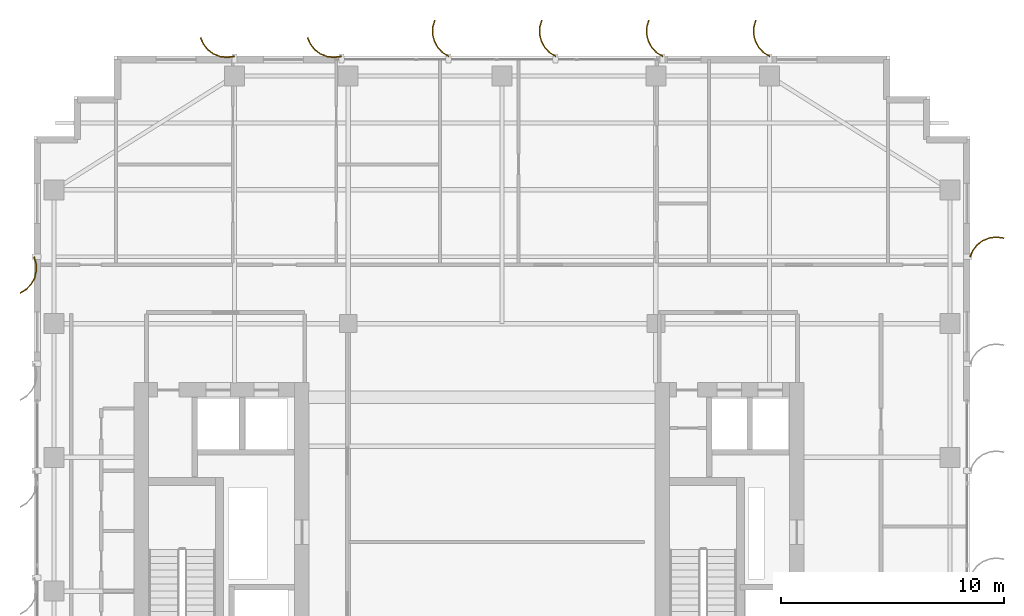
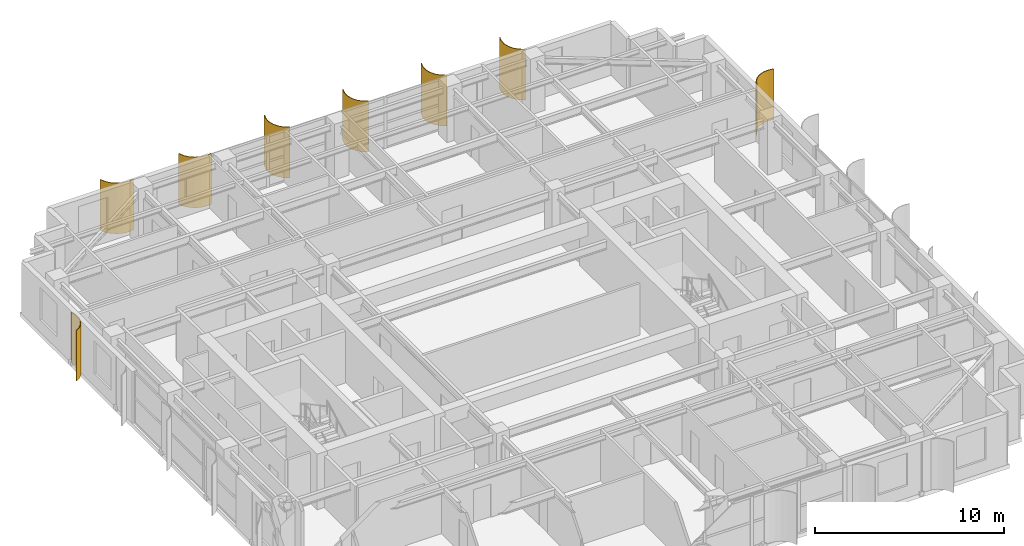
# One storey, part 25 of 25: 8 shading devices.
"""IFC4 building model written with IfcOpenShell, lengths in metres."""

from ifc_helpers import new_model, si_unit, direction, frame, origin, place, context, subcontext, project, spatial, polyline, outline, extrude, source, transform, mapped, material, layer, layer_set, type_object, element, save


model = new_model("IFC4")

# Units and contexts
model_context = context("Model", 3, precision=1e-05, world=origin(), true_north=direction((0.0, 1.0)))
body_context = subcontext(model_context, "Body", "Model", "MODEL_VIEW")
ifc_project = project(units=[si_unit("LENGTHUNIT", "METRE"), si_unit("AREAUNIT", "SQUARE_METRE"), si_unit("VOLUMEUNIT", "CUBIC_METRE"), si_unit("PLANEANGLEUNIT", "RADIAN"), si_unit("MASSUNIT", "GRAM", prefix="KILO")], contexts=[model_context])

# Site, building, storey
site_placement = place(None, origin())
site = spatial("IfcSite", under=ifc_project, at=site_placement, CompositionType="ELEMENT")
building_placement = place(site_placement, origin())
building = spatial("IfcBuilding", under=site, at=building_placement, Name="Khoralis Quay Care Tower", CompositionType="ELEMENT")
storey_placement = place(building_placement, frame((0.0, 0.0, 166.5)))
storey = spatial("IfcBuildingStorey", under=building, at=storey_placement, Name="L43", CompositionType="ELEMENT", Elevation=166.5)

# Shading devices
ifc_material = material(Name="Brushed pale anodised aluminium", Category="aluminium")
ifc_layer = layer(ifc_material, 0.044921875)
ifc_layer_set = layer_set([ifc_layer], Name="Brushed pale anodised aluminium")
shading_device_type = type_object("IfcShadingDeviceType", Name="SHD-FIN-1250", PredefinedType="USERDEFINED", material=ifc_layer_set)
shared_shape_1 = source(origin(), body_context, "Body", "SweptSolid", [
    extrude(outline(polyline([(0.0, 0.0), (0.17041015625, 0.2783203125), (0.4072265625, 0.5029296875), (0.694091796875, 0.658447265625), (1.01123046875, 0.734619140625), (1.33740234375, 0.72607421875), (1.650390625, 0.633544921875), (1.632080078125, 0.59228515625), (1.330322265625, 0.681640625), (1.015869140625, 0.68994140625), (0.710205078125, 0.616455078125), (0.43359375, 0.466552734375), (0.20556640625, 0.25), (0.041015625, -0.018310546875), (0.0, 0.0)])), origin(), (0.0, 0.0, 1.0), 3.280029296875),
])
for number, where, z_axis, x_axis, name in (
    (1, (36.0, 41.969970703125, 0.02001953125), (0.0, 0.0, 1.0), (0.0, 1.0, 0.0), "L43 Curved Solar Fin P1E10-01"),
    (2, (31.199951171875, 41.969970703125, 0.02001953125), (0.0, 0.0, 1.0), (0.0, 1.0, 0.0), "L43 Curved Solar Fin P1E10-02"),
    (3, (26.39990234375, 41.969970703125, 0.02001953125), (0.0, 0.0, 1.0), (0.0, 1.0, 0.0), "L43 Curved Solar Fin P1E10-03"),
    (4, (21.60009765625, 41.969970703125, 0.02001953125), (0.0, 0.0, 1.0), (0.0, 1.0, 0.0), "L43 Curved Solar Fin P1E10-04"),
):
    element("IfcShadingDevice", number, at=place(storey_placement, frame(where, z_axis=z_axis, x_axis=x_axis)), inside=storey, type_object=shading_device_type, Name=name, ObjectType="FIN", PredefinedType="USERDEFINED", context=body_context, shape_type="MappedRepresentation", body=[
        mapped(shared_shape_1, transform((0.0, 0.0, 0.0), scale=1.0)),
    ])
shared_shape_2 = source(origin(), body_context, "Body", "SweptSolid", [
    extrude(outline(polyline([(0.0, 0.0), (-0.04833984375, 0.32275390625), (-0.01123046875, 0.64697265625), (0.1083984375, 0.950439453125), (0.302490234375, 1.212890625), (0.557861328125, 1.416015625), (0.85693359375, 1.546142578125), (0.869384765625, 1.5029296875), (0.5810546875, 1.37744140625), (0.334716796875, 1.181640625), (0.147705078125, 0.9287109375), (0.032470703125, 0.635986328125), (-0.003173828125, 0.323486328125), (0.043212890625, 0.012451171875), (0.0, 0.0)])), origin(), (0.0, 0.0, 1.0), 3.280029296875),
])
for number, where, z_axis, x_axis, name in (
    (5, (16.800048828125, 41.969970703125, 0.02001953125), (0.0, 0.0, 1.0), (0.0, 1.0, 0.0), "L43 Curved Solar Fin P1E10-05"),
    (6, (12.0, 41.969970703125, 0.02001953125), (0.0, 0.0, 1.0), (0.0, 1.0, 0.0), "L43 Curved Solar Fin P1E10-06"),
):
    element("IfcShadingDevice", number, at=place(storey_placement, frame(where, z_axis=z_axis, x_axis=x_axis)), inside=storey, type_object=shading_device_type, Name=name, ObjectType="FIN", PredefinedType="USERDEFINED", context=body_context, shape_type="MappedRepresentation", body=[
        mapped(shared_shape_2, transform((0.0, 0.0, 0.0), scale=1.0)),
    ])
shared_shape_3 = source(origin(), body_context, "Body", "SweptSolid", [
    extrude(outline(polyline([(0.0, 0.0), (-0.0927734375, 0.31298828125), (-0.101318359375, 0.63916015625), (-0.025146484375, 0.956298828125), (0.130615234375, 1.2431640625), (0.355224609375, 1.479736328125), (0.633544921875, 1.650390625), (0.65185546875, 1.609130859375), (0.383544921875, 1.44482421875), (0.1669921875, 1.216796875), (0.01708984375, 0.940185546875), (-0.056396484375, 0.63427734375), (-0.04833984375, 0.31982421875), (0.041015625, 0.018310546875), (0.0, 0.0)])), origin(), (0.0, 0.0, 1.0), 3.280029296875),
])
shading_device_1_placement = place(storey_placement, frame((3.030029296875, 33.0, 0.02001953125), z_axis=(0.0, 0.0, 1.0), x_axis=(-1.0, 0.0, 0.0)))
element("IfcShadingDevice", 7, at=shading_device_1_placement, inside=storey, type_object=shading_device_type, Name="L43 Curved Solar Fin P1E15-01", ObjectType="FIN", PredefinedType="USERDEFINED", context=body_context, shape_type="MappedRepresentation", body=[
    mapped(shared_shape_3, transform((0.0, 0.0, 0.0), scale=1.0)),
])
shared_shape_4 = source(origin(), body_context, "Body", "SweptSolid", [
    extrude(outline(polyline([(0.0, 0.0), (0.130126953125, 0.29931640625), (0.333251953125, 0.5546875), (0.595458984375, 0.748779296875), (0.899169921875, 0.868408203125), (1.223388671875, 0.9052734375), (1.546142578125, 0.85693359375), (1.53369140625, 0.813720703125), (1.22265625, 0.8603515625), (0.91015625, 0.82470703125), (0.617431640625, 0.70947265625), (0.364501953125, 0.522216796875), (0.168701171875, 0.276123046875), (0.043212890625, -0.012451171875), (0.0, 0.0)])), origin(), (0.0, 0.0, 1.0), 3.280029296875),
])
shading_device_2_placement = place(storey_placement, frame((44.969970703125, 33.0, 0.02001953125), z_axis=(0.0, 0.0, 1.0), x_axis=(1.0, 0.0, 0.0)))
element("IfcShadingDevice", 8, at=shading_device_2_placement, inside=storey, type_object=shading_device_type, Name="L43 Curved Solar Fin P1E5-06", ObjectType="FIN", PredefinedType="USERDEFINED", context=body_context, shape_type="MappedRepresentation", body=[
    mapped(shared_shape_4, transform((0.0, 0.0, 0.0), scale=1.0)),
])

save(model, "model.ifc")
